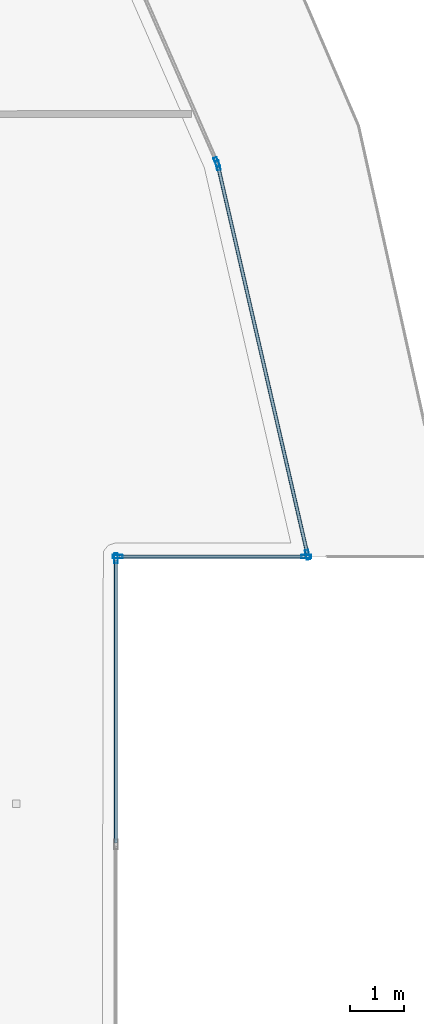
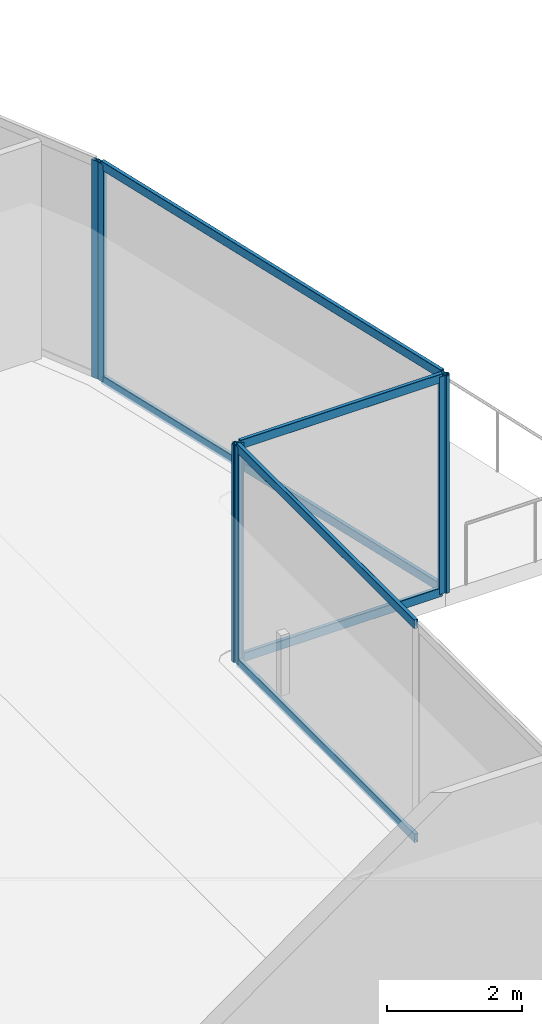
# One storey, part 25 of 44: 12 members, 4 elements without a shape of their own.
"""IFC4 building model written with IfcOpenShell, lengths in metres."""

from ifc_helpers import new_model, si_unit, direction, frame, origin, origin_2d, place, context, subcontext, project, spatial, hollow_rectangle, extrude, material, layer, layer_set, material_profile, profile_set, type_object, element, aggregate, save


model = new_model("IFC4")

# Units and contexts
model_context = context("Model", 3, precision=1e-05, world=origin(), true_north=direction((0.0, 1.0)))
body_context = subcontext(model_context, "Body", "Model", "MODEL_VIEW")
ifc_project = project(units=[si_unit("LENGTHUNIT", "METRE"), si_unit("AREAUNIT", "SQUARE_METRE"), si_unit("VOLUMEUNIT", "CUBIC_METRE"), si_unit("PLANEANGLEUNIT", "RADIAN"), si_unit("MASSUNIT", "GRAM", prefix="KILO")], contexts=[model_context])

# Site, building, storey
site_placement = place(None, origin())
site = spatial("IfcSite", under=ifc_project, at=site_placement, CompositionType="ELEMENT")
building_placement = place(site_placement, origin())
building = spatial("IfcBuilding", under=site, at=building_placement, Name="Qorvath Tower", CompositionType="ELEMENT")
storey_placement = place(building_placement, frame((0.0, 0.0, 53.39990234375)))
storey = spatial("IfcBuildingStorey", under=building, at=storey_placement, Name="L11", CompositionType="ELEMENT", Elevation=53.39990234375)

# Curtain wall, member
ifc_material_1 = material(Name="Anodised aluminium and triple low-E glass", Category="aluminium")
ifc_layer = layer(ifc_material_1, 0.179931640625)
ifc_layer_set = layer_set([ifc_layer], Name="CW-SYS-2")
curtain_wall_type = type_object("IfcCurtainWallType", Name="CW-SYS-2", PredefinedType="NOTDEFINED", material=ifc_layer_set)
curtain_wall_1_placement = place(storey_placement, origin())
curtain_wall_1 = element("IfcCurtainWall", 1, at=curtain_wall_1_placement, inside=storey, type_object=curtain_wall_type, Name="Curtain Wall CW-2 CW-T-L11-9.1", PredefinedType="NOTDEFINED")
ifc_material_2 = material(Name="Anodised aluminium 6063-T6", Category="aluminium")
ifc_material_profile_1 = material_profile(ifc_material_2, hollow_rectangle(XDim=0.06494140625, YDim=0.179931640625, WallThickness=0.00341796875, InnerFilletRadius=0.00341796875, OuterFilletRadius=0.007080078125, at=origin_2d()), Name="CWM 180x65")
ifc_profile_set_1 = profile_set([ifc_material_profile_1], Name="Anodised aluminium 6063-T6")
member_type_1 = type_object("IfcMemberType", Name="CWM-180", PredefinedType="MULLION", material=ifc_profile_set_1)
member_1_placement = place(storey_placement, frame((3.742919921875, 5.32421875, 0.0), z_axis=(0.0, 0.0, 1.0), x_axis=(-1.0, 0.0, 0.0)))
member_1 = element("IfcMember", 2, at=member_1_placement, type_object=member_type_1, Name="CW-2 mullion 3", PredefinedType="MULLION", context=body_context, shape_type="SweptSolid", body=[
    extrude(hollow_rectangle(XDim=0.06494140625, YDim=0.179931640625, WallThickness=0.00341796875, InnerFilletRadius=0.00341796875, OuterFilletRadius=0.007080078125, at=origin_2d()), origin(), (0.0, 0.0, 1.0), 3.920166015625),
])

# Curtain wall, members
curtain_wall_2_placement = place(storey_placement, origin())
curtain_wall_2 = element("IfcCurtainWall", 3, at=curtain_wall_2_placement, inside=storey, type_object=curtain_wall_type, Name="Curtain Wall CW-2 CW-T-L11-10.1", PredefinedType="NOTDEFINED")
member_2_placement = place(storey_placement, frame((3.775390625, 5.356689453125, 0.0), z_axis=(0.0, 0.0, 1.0), x_axis=(0.0, 1.0, 0.0)))
member_2 = element("IfcMember", 4, at=member_2_placement, type_object=member_type_1, Name="CW-2 mullion 1", PredefinedType="MULLION", context=body_context, shape_type="SweptSolid", body=[
    extrude(hollow_rectangle(XDim=0.06494140625, YDim=0.179931640625, WallThickness=0.00341796875, InnerFilletRadius=0.00341796875, OuterFilletRadius=0.007080078125, at=origin_2d()), origin(), (0.0, 0.0, 1.0), 3.920166015625),
])
member_3_placement = place(storey_placement, frame((7.28173828125, 5.356689453125, 0.0), z_axis=(0.0, 0.0, 1.0), x_axis=(0.0, 1.0, 0.0)))
member_3 = element("IfcMember", 5, at=member_3_placement, type_object=member_type_1, Name="CW-2 mullion 2", PredefinedType="MULLION", context=body_context, shape_type="SweptSolid", body=[
    extrude(hollow_rectangle(XDim=0.06494140625, YDim=0.179931640625, WallThickness=0.00341796875, InnerFilletRadius=0.00341796875, OuterFilletRadius=0.007080078125, at=origin_2d()), origin(), (0.0, 0.0, 1.0), 3.920166015625),
])

curtain_wall_3_placement = place(storey_placement, origin())
curtain_wall_3 = element("IfcCurtainWall", 6, at=curtain_wall_3_placement, inside=storey, type_object=curtain_wall_type, Name="Curtain Wall CW-2 CW-T-L11-11.1", PredefinedType="NOTDEFINED")
member_4_placement = place(storey_placement, frame((7.306884765625, 5.388427734375, 0.0), z_axis=(0.0, 0.0, 1.0), x_axis=(-0.974466004857, -0.224535087188, 0.0)))
member_4 = element("IfcMember", 7, at=member_4_placement, type_object=member_type_1, Name="CW-2 mullion 1", PredefinedType="MULLION", context=body_context, shape_type="SweptSolid", body=[
    extrude(hollow_rectangle(XDim=0.06494140625, YDim=0.179931640625, WallThickness=0.00341796875, InnerFilletRadius=0.00341796875, OuterFilletRadius=0.007080078125, at=origin_2d()), origin(), (0.0, 0.0, 1.0), 3.920166015625),
])
member_5_placement = place(storey_placement, frame((5.63818359375, 12.63037109375, 0.0), z_axis=(0.0, 0.0, 1.0), x_axis=(-0.974466004857, -0.224535087188, 0.0)))
member_5 = element("IfcMember", 8, at=member_5_placement, type_object=member_type_1, Name="CW-2 mullion 2", PredefinedType="MULLION", context=body_context, shape_type="SweptSolid", body=[
    extrude(hollow_rectangle(XDim=0.06494140625, YDim=0.179931640625, WallThickness=0.00341796875, InnerFilletRadius=0.00341796875, OuterFilletRadius=0.007080078125, at=origin_2d()), origin(), (0.0, 0.0, 1.0), 3.920166015625),
])

# Curtain wall, member
curtain_wall_4_placement = place(storey_placement, origin())
curtain_wall_4 = element("IfcCurtainWall", 9, at=curtain_wall_4_placement, inside=storey, type_object=curtain_wall_type, Name="Curtain Wall CW-2 CW-T-L11-12.1", PredefinedType="NOTDEFINED")
member_6_placement = place(storey_placement, frame((5.617919921875, 12.69189453125, 0.0), z_axis=(0.0, 0.0, 1.0), x_axis=(-0.916000523281, -0.401177069819, 0.0)))
member_6 = element("IfcMember", 10, at=member_6_placement, type_object=member_type_1, Name="CW-2 mullion 1", PredefinedType="MULLION", context=body_context, shape_type="SweptSolid", body=[
    extrude(hollow_rectangle(XDim=0.06494140625, YDim=0.179931640625, WallThickness=0.00341796875, InnerFilletRadius=0.00341796875, OuterFilletRadius=0.007080078125, at=origin_2d()), origin(), (0.0, 0.0, 1.0), 3.920166015625),
])
aggregate(curtain_wall_4, [member_6])

# Member
ifc_material_3 = material(Name="Anodised aluminium 6063-T6", Category="aluminium")
ifc_material_profile_2 = material_profile(ifc_material_3, hollow_rectangle(XDim=0.06494140625, YDim=0.159912109375, WallThickness=0.00341796875, InnerFilletRadius=0.00341796875, OuterFilletRadius=0.007080078125, at=origin_2d()), Name="CWT 160x65")
ifc_profile_set_2 = profile_set([ifc_material_profile_2], Name="Anodised aluminium 6063-T6")
member_type_2 = type_object("IfcMemberType", Name="CWT-160", PredefinedType="USERDEFINED", material=ifc_profile_set_2)
member_7_placement = place(storey_placement, frame((3.742919921875, 0.032470703125, 0.032470703125), z_axis=(0.0, 1.0, 0.0), x_axis=(-1.0, 0.0, 0.0)))
member_7 = element("IfcMember", 11, at=member_7_placement, type_object=member_type_2, Name="CW-2 transom 2.1", ObjectType="TRANSOM", PredefinedType="USERDEFINED", context=body_context, shape_type="SweptSolid", body=[
    extrude(hollow_rectangle(XDim=0.06494140625, YDim=0.159912109375, WallThickness=0.00341796875, InnerFilletRadius=0.00341796875, OuterFilletRadius=0.007080078125, at=origin_2d()), origin(), (0.0, 0.0, 1.0), 5.25927734375),
])

member_8_placement = place(storey_placement, frame((3.742919921875, 0.032470703125, 3.8876953125), z_axis=(0.0, 1.0, 0.0), x_axis=(-1.0, 0.0, 0.0)))
member_8 = element("IfcMember", 12, at=member_8_placement, type_object=member_type_2, Name="CW-2 transom 2.2", ObjectType="TRANSOM", PredefinedType="USERDEFINED", context=body_context, shape_type="SweptSolid", body=[
    extrude(hollow_rectangle(XDim=0.06494140625, YDim=0.159912109375, WallThickness=0.00341796875, InnerFilletRadius=0.00341796875, OuterFilletRadius=0.007080078125, at=origin_2d()), origin(), (0.0, 0.0, 1.0), 5.25927734375),
])

aggregate(curtain_wall_1, [member_1, member_7, member_8])

member_9_placement = place(storey_placement, frame((3.807861328125, 5.356689453125, 0.032470703125), z_axis=(1.0, 0.0, 0.0), x_axis=(0.0, 1.0, 0.0)))
member_9 = element("IfcMember", 13, at=member_9_placement, type_object=member_type_2, Name="CW-2 transom 1.1", ObjectType="TRANSOM", PredefinedType="USERDEFINED", context=body_context, shape_type="SweptSolid", body=[
    extrude(hollow_rectangle(XDim=0.06494140625, YDim=0.159912109375, WallThickness=0.00341796875, InnerFilletRadius=0.00341796875, OuterFilletRadius=0.007080078125, at=origin_2d()), origin(), (0.0, 0.0, 1.0), 3.44140625),
])

member_10_placement = place(storey_placement, frame((3.807861328125, 5.356689453125, 3.8876953125), z_axis=(1.0, 0.0, 0.0), x_axis=(0.0, 1.0, 0.0)))
member_10 = element("IfcMember", 14, at=member_10_placement, type_object=member_type_2, Name="CW-2 transom 1.2", ObjectType="TRANSOM", PredefinedType="USERDEFINED", context=body_context, shape_type="SweptSolid", body=[
    extrude(hollow_rectangle(XDim=0.06494140625, YDim=0.159912109375, WallThickness=0.00341796875, InnerFilletRadius=0.00341796875, OuterFilletRadius=0.007080078125, at=origin_2d()), origin(), (0.0, 0.0, 1.0), 3.44140625),
])

aggregate(curtain_wall_2, [member_2, member_3, member_9, member_10])

member_11_placement = place(storey_placement, frame((7.299560546875, 5.419921875, 0.032470703125), z_axis=(-0.224520650213, 0.974469331292, 0.0), x_axis=(-0.974469331292, -0.224520650213, 0.0)))
member_11 = element("IfcMember", 15, at=member_11_placement, type_object=member_type_2, Name="CW-2 transom 1.1", ObjectType="TRANSOM", PredefinedType="USERDEFINED", context=body_context, shape_type="SweptSolid", body=[
    extrude(hollow_rectangle(XDim=0.06494140625, YDim=0.159912109375, WallThickness=0.00341796875, InnerFilletRadius=0.00341796875, OuterFilletRadius=0.007080078125, at=origin_2d()), origin(), (0.0, 0.0, 1.0), 7.366943359375),
])

member_12_placement = place(storey_placement, frame((7.299560546875, 5.419921875, 3.8876953125), z_axis=(-0.224520650213, 0.974469331292, 0.0), x_axis=(-0.974469331292, -0.224520650213, 0.0)))
member_12 = element("IfcMember", 16, at=member_12_placement, type_object=member_type_2, Name="CW-2 transom 1.2", ObjectType="TRANSOM", PredefinedType="USERDEFINED", context=body_context, shape_type="SweptSolid", body=[
    extrude(hollow_rectangle(XDim=0.06494140625, YDim=0.159912109375, WallThickness=0.00341796875, InnerFilletRadius=0.00341796875, OuterFilletRadius=0.007080078125, at=origin_2d()), origin(), (0.0, 0.0, 1.0), 7.366943359375),
])

aggregate(curtain_wall_3, [member_4, member_5, member_11, member_12])

save(model, "model.ifc")
